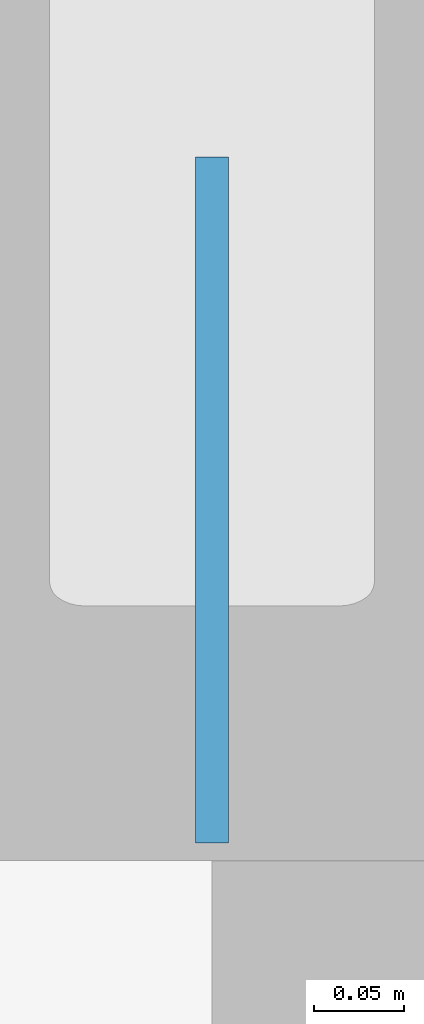
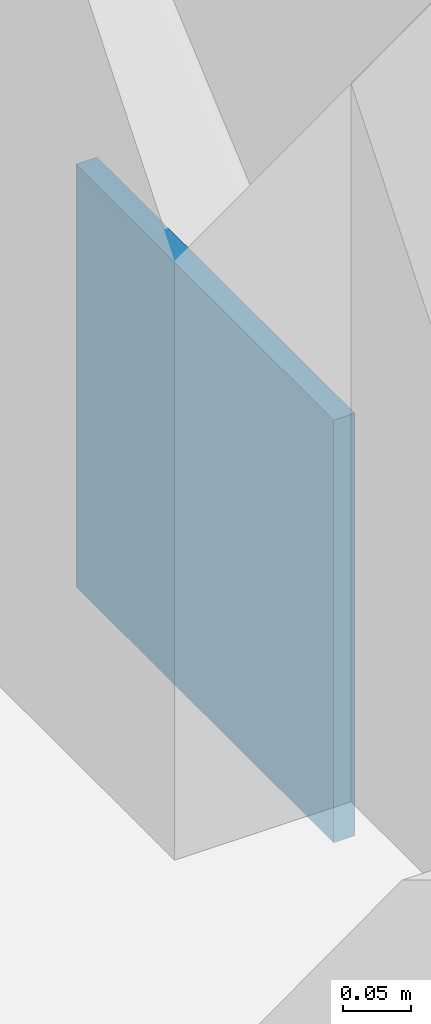
# One storey, part 14 of 21: 1 plate.
"""IFC4 building model written with IfcOpenShell, lengths in metres."""

from ifc_helpers import new_model, si_unit, direction, frame, origin, origin_2d, place, context, subcontext, project, spatial, rectangle, extrude, material, layer, layer_set, type_object, element, save


model = new_model("IFC4")

# Units and contexts
model_context = context("Model", 3, precision=1e-05, world=origin(), true_north=direction((0.0, 1.0)))
body_context = subcontext(model_context, "Body", "Model", "MODEL_VIEW")
ifc_project = project(units=[si_unit("LENGTHUNIT", "METRE"), si_unit("AREAUNIT", "SQUARE_METRE"), si_unit("VOLUMEUNIT", "CUBIC_METRE"), si_unit("PLANEANGLEUNIT", "RADIAN"), si_unit("MASSUNIT", "GRAM", prefix="KILO")], contexts=[model_context])

# Site, building, storey
site_placement = place(None, origin())
site = spatial("IfcSite", under=ifc_project, at=site_placement, CompositionType="ELEMENT")
building_placement = place(site_placement, origin())
building = spatial("IfcBuilding", under=site, at=building_placement, Name="Sitalva Quay Ferry Terminal", CompositionType="ELEMENT")
storey_placement = place(building_placement, frame((0.0, 0.0, 14.39990234375)))
storey = spatial("IfcBuildingStorey", under=building, at=storey_placement, Name="L04", CompositionType="ELEMENT", Elevation=14.39990234375)

# Plate
ifc_material = material(Name="Structural Steel S355JR", Category="steel")
ifc_layer = layer(ifc_material, 0.01806640625)
ifc_layer_set = layer_set([ifc_layer], Name="Structural Steel S355JR")
plate_type = type_object("IfcPlateType", Name="Gusset_380x380x18", PredefinedType="USERDEFINED", material=ifc_layer_set)
plate_placement = place(storey_placement, frame((112.39990234375, 78.550048828125, -0.039794921875), z_axis=(0.0, 0.0, 1.0), x_axis=(1.0, 0.0, 0.0)))
element("IfcPlate", 1, at=plate_placement, inside=storey, type_object=plate_type, Name="Braced frame BF5 L04 BASE-A gusset", ObjectType="FLANGE_PLATE", PredefinedType="USERDEFINED", context=body_context, shape_type="SweptSolid", body=[
    extrude(rectangle(XDim=0.01806640625, YDim=0.3798828125, at=origin_2d()), origin(), (0.0, 0.0, 1.0), 0.3798828125),
])

save(model, "model.ifc")
